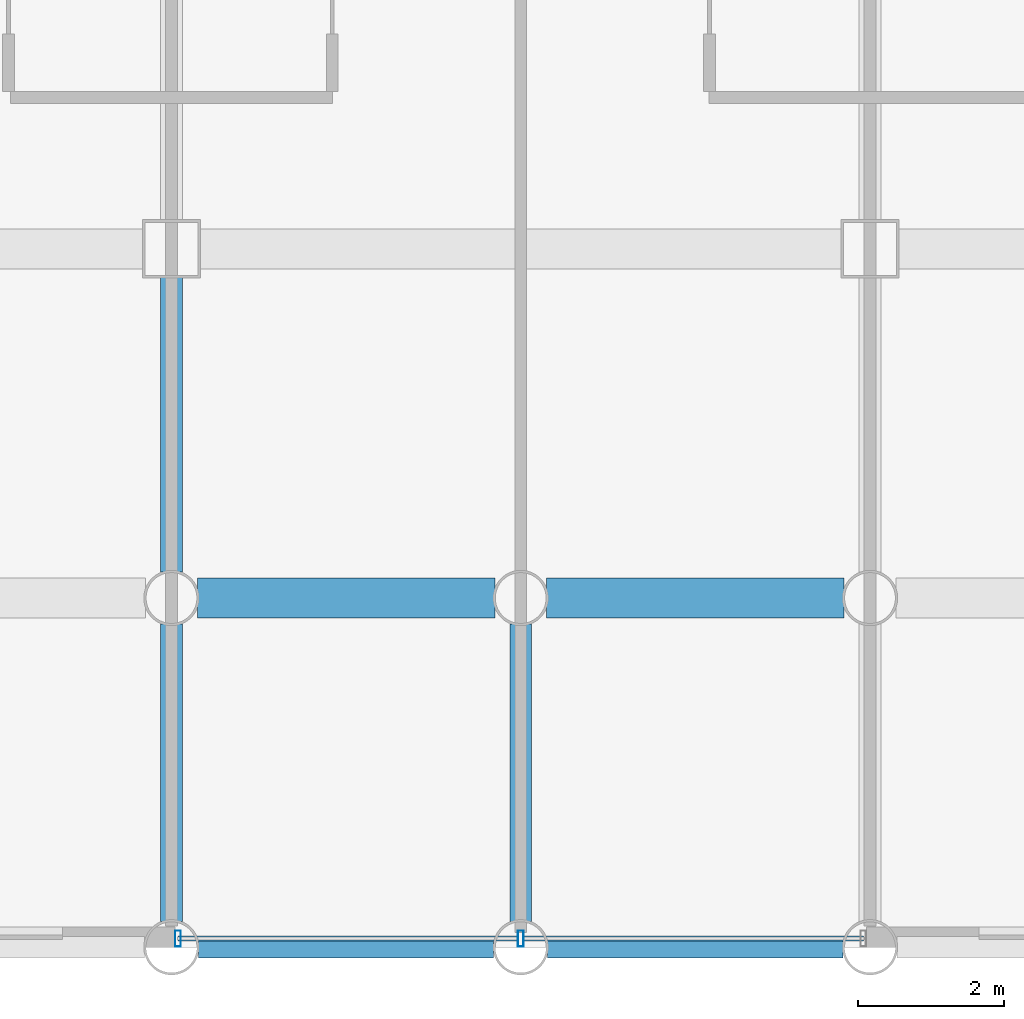
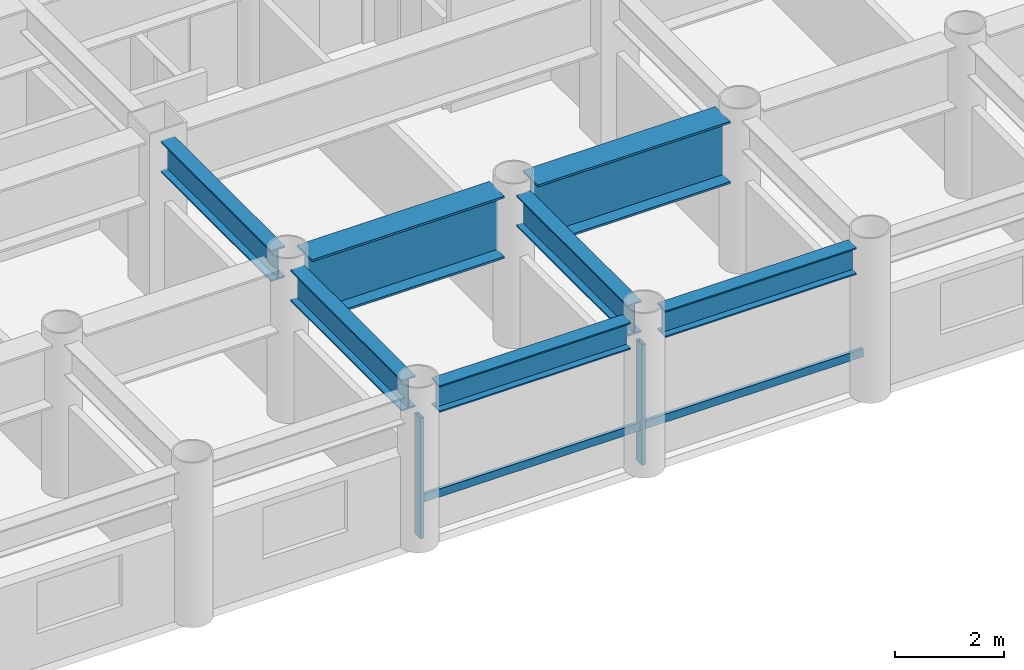
# One storey, part 2 of 21: 7 beams, 4 members, 1 element without a shape of its own.
"""IFC4 building model written with IfcOpenShell, lengths in metres."""

from ifc_helpers import new_model, si_unit, direction, frame, origin, origin_2d, place, context, subcontext, project, spatial, hollow_rectangle, i_section, extrude, material, layer, layer_set, material_profile, profile_set, type_object, element, aggregate, save


model = new_model("IFC4")

# Units and contexts
model_context = context("Model", 3, precision=1e-05, world=origin(), true_north=direction((0.0, 1.0)))
body_context = subcontext(model_context, "Body", "Model", "MODEL_VIEW")
ifc_project = project(units=[si_unit("LENGTHUNIT", "METRE"), si_unit("AREAUNIT", "SQUARE_METRE"), si_unit("VOLUMEUNIT", "CUBIC_METRE"), si_unit("PLANEANGLEUNIT", "RADIAN"), si_unit("MASSUNIT", "GRAM", prefix="KILO")], contexts=[model_context])

# Site, building, storey
site_placement = place(None, origin())
site = spatial("IfcSite", under=ifc_project, at=site_placement, CompositionType="ELEMENT")
building_placement = place(site_placement, origin())
building = spatial("IfcBuilding", under=site, at=building_placement, Name="Kallvorn Hotel Tower", CompositionType="ELEMENT")
storey_placement = place(building_placement, frame((0.0, 0.0, 85.5)))
storey = spatial("IfcBuildingStorey", under=building, at=storey_placement, Name="L20", CompositionType="ELEMENT", Elevation=85.5)

# Beams
ifc_material_1 = material(Name="Structural steel S355JR", Category="steel")
ifc_material_profile_1 = material_profile(ifc_material_1, i_section(OverallWidth=0.300048828125, OverallDepth=0.60009765625, WebThickness=0.015380859375, FlangeThickness=0.030029296875, at=origin_2d()), Name="HE 600 B")
ifc_profile_set_1 = profile_set([ifc_material_profile_1], Name="Structural steel S355JR")
beam_type_1 = type_object("IfcBeamType", Name="BM_HE600B", PredefinedType="SPANDREL", material=ifc_profile_set_1)
for number, where, z_axis, x_axis, name in (
    (1, (-4.428955078125, -24.0, 3.14990234375), (1.0, 0.0, 0.0), (0.0, 1.0, 0.0), "L21 Perimeter Spandrel 155"),
    (2, (0.37109375, -24.0, 3.14990234375), (1.0, 0.0, 0.0), (0.0, 1.0, 0.0), "L21 Perimeter Spandrel 156"),
):
    element("IfcBeam", number, at=place(storey_placement, frame(where, z_axis=z_axis, x_axis=x_axis)), inside=storey, type_object=beam_type_1, Name=name, PredefinedType="SPANDREL", context=body_context, shape_type="SweptSolid", body=[
        extrude(i_section(OverallWidth=0.300048828125, OverallDepth=0.60009765625, WebThickness=0.015380859375, FlangeThickness=0.030029296875, at=origin_2d()), origin(), (0.0, 0.0, 1.0), 4.057861328125),
    ])
ifc_material_2 = material(Name="Structural steel S355JR", Category="steel")
ifc_material_profile_2 = material_profile(ifc_material_2, i_section(OverallWidth=0.300048828125, OverallDepth=0.699951171875, WebThickness=0.01708984375, FlangeThickness=0.031982421875, at=origin_2d()), Name="HE 700 B")
ifc_profile_set_2 = profile_set([ifc_material_profile_2], Name="Structural steel S355JR")
beam_type_2 = type_object("IfcBeamType", Name="BM_HE700B", PredefinedType="BEAM", material=ifc_profile_set_2)
beam_1_placement = place(storey_placement, frame((-4.800048828125, -23.64404296875, 3.10009765625), z_axis=(0.0, 1.0, 0.0), x_axis=(-1.0, 0.0, 0.0)))
element("IfcBeam", 3, at=beam_1_placement, inside=storey, type_object=beam_type_2, Name="L21 Primary Y-Girder 105", PredefinedType="BEAM", context=body_context, shape_type="SweptSolid", body=[
    extrude(i_section(OverallWidth=0.300048828125, OverallDepth=0.699951171875, WebThickness=0.01708984375, FlangeThickness=0.031982421875, at=origin_2d()), origin(), (0.0, 0.0, 1.0), 4.088134765625),
])
beam_2_placement = place(storey_placement, frame((-4.800048828125, -18.843994140625, 3.10009765625), z_axis=(0.0, 1.0, 0.0), x_axis=(-1.0, 0.0, 0.0)))
element("IfcBeam", 4, at=beam_2_placement, inside=storey, type_object=beam_type_2, Name="L21 Primary Y-Girder 106", PredefinedType="BEAM", context=body_context, shape_type="SweptSolid", body=[
    extrude(i_section(OverallWidth=0.300048828125, OverallDepth=0.699951171875, WebThickness=0.01708984375, FlangeThickness=0.031982421875, at=origin_2d()), origin(), (0.0, 0.0, 1.0), 4.069091796875),
])
beam_3_placement = place(storey_placement, frame((0.0, -23.64404296875, 3.10009765625), z_axis=(0.0, 1.0, 0.0), x_axis=(-1.0, 0.0, 0.0)))
element("IfcBeam", 5, at=beam_3_placement, inside=storey, type_object=beam_type_2, Name="L21 Primary Y-Girder 110", PredefinedType="BEAM", context=body_context, shape_type="SweptSolid", body=[
    extrude(i_section(OverallWidth=0.300048828125, OverallDepth=0.699951171875, WebThickness=0.01708984375, FlangeThickness=0.031982421875, at=origin_2d()), origin(), (0.0, 0.0, 1.0), 4.088134765625),
])
ifc_material_3 = material(Name="Structural steel S355JR", Category="steel")
ifc_material_profile_3 = material_profile(ifc_material_3, i_section(OverallWidth=0.550048828125, OverallDepth=1.39990234375, WebThickness=0.02490234375, FlangeThickness=0.044921875, at=origin_2d()), Name="PG 1400x550x25x45")
ifc_profile_set_3 = profile_set([ifc_material_profile_3], Name="Structural steel S355JR")
beam_type_3 = type_object("IfcBeamType", Name="BM_PG_1400", PredefinedType="BEAM", material=ifc_profile_set_3)
for number, where, z_axis, x_axis, name in (
    (6, (-4.444091796875, -19.199951171875, 2.75), (1.0, 0.0, 0.0), (0.0, 1.0, 0.0), "L21 Primary X-Girder 06"),
    (7, (0.35595703125, -19.199951171875, 2.75), (1.0, 0.0, 0.0), (0.0, 1.0, 0.0), "L21 Primary X-Girder 07"),
):
    element("IfcBeam", number, at=place(storey_placement, frame(where, z_axis=z_axis, x_axis=x_axis)), inside=storey, type_object=beam_type_3, Name=name, PredefinedType="BEAM", context=body_context, shape_type="SweptSolid", body=[
        extrude(i_section(OverallWidth=0.550048828125, OverallDepth=1.39990234375, WebThickness=0.02490234375, FlangeThickness=0.044921875, at=origin_2d()), origin(), (0.0, 0.0, 1.0), 4.088134765625),
    ])

# Curtain wall, members
ifc_material_4 = material(Name="Thermally broken black-anodised aluminium AA 6063-T6", Category="aluminium")
ifc_layer = layer(ifc_material_4, 0.199951171875)
ifc_layer_set = layer_set([ifc_layer], Name="CW_SYS_3_HOTEL_LOW")
curtain_wall_type = type_object("IfcCurtainWallType", Name="CW_SYS_3_HOTEL_LOW", PredefinedType="USERDEFINED", material=ifc_layer_set)
curtain_wall_placement = place(storey_placement, origin())
curtain_wall = element("IfcCurtainWall", 8, at=curtain_wall_placement, inside=storey, type_object=curtain_wall_type, Name="L20 Dark-Glass Curtain Wall CW-L20-SC", ObjectType="UNITISED CURTAIN WALL", PredefinedType="USERDEFINED")
ifc_material_5 = material(Name="Thermally broken black-anodised aluminium AA 6063-T6", Category="aluminium")
ifc_material_profile_4 = material_profile(ifc_material_5, hollow_rectangle(XDim=0.080078125, YDim=0.219970703125, WallThickness=0.0048828125, at=origin_2d()), Name="MUL 220x80")
ifc_profile_set_4 = profile_set([ifc_material_profile_4], Name="Thermally broken black-anodised aluminium AA 6063-T6")
member_type_1 = type_object("IfcMemberType", Name="CW_MULLION_220x80", PredefinedType="MULLION", material=ifc_profile_set_4)
member_1_placement = place(storey_placement, frame((-4.7099609375, -23.8798828125, 0.02001953125), z_axis=(0.0, 0.0, 1.0), x_axis=(1.0, 0.0, 0.0)))
member_1 = element("IfcMember", 9, at=member_1_placement, type_object=member_type_1, Name="CW-L20-SC Mullion 00", PredefinedType="MULLION", context=body_context, shape_type="SweptSolid", body=[
    extrude(hollow_rectangle(XDim=0.080078125, YDim=0.219970703125, WallThickness=0.0048828125, at=origin_2d()), origin(), (0.0, 0.0, 1.0), 2.7099609375),
])
member_2_placement = place(storey_placement, frame((0.0, -23.8798828125, 0.02001953125), z_axis=(0.0, 0.0, 1.0), x_axis=(1.0, 0.0, 0.0)))
member_2 = element("IfcMember", 10, at=member_2_placement, type_object=member_type_1, Name="CW-L20-SC Mullion 01", PredefinedType="MULLION", context=body_context, shape_type="SweptSolid", body=[
    extrude(hollow_rectangle(XDim=0.080078125, YDim=0.219970703125, WallThickness=0.0048828125, at=origin_2d()), origin(), (0.0, 0.0, 1.0), 2.7099609375),
])
ifc_material_6 = material(Name="Thermally broken black-anodised aluminium AA 6063-T6", Category="aluminium")
ifc_material_profile_5 = material_profile(ifc_material_6, hollow_rectangle(XDim=0.070068359375, YDim=0.179931640625, WallThickness=0.00390625, at=origin_2d()), Name="TRN 180x70")
ifc_profile_set_5 = profile_set([ifc_material_profile_5], Name="Thermally broken black-anodised aluminium AA 6063-T6")
member_type_2 = type_object("IfcMemberType", Name="CW_TRANSOM_180x70", PredefinedType="USERDEFINED", material=ifc_profile_set_5)
member_3_placement = place(storey_placement, frame((-4.7099609375, -23.8798828125, 0.85009765625), z_axis=(1.0, 0.0, 0.0), x_axis=(0.0, 1.0, 0.0)))
member_3 = element("IfcMember", 11, at=member_3_placement, type_object=member_type_2, Name="CW-L20-SC Transom 00M", ObjectType="TRANSOM", PredefinedType="USERDEFINED", context=body_context, shape_type="SweptSolid", body=[
    extrude(hollow_rectangle(XDim=0.070068359375, YDim=0.179931640625, WallThickness=0.00390625, at=origin_2d()), origin(), (0.0, 0.0, 1.0), 4.669921875),
])
member_4_placement = place(storey_placement, frame((0.0400390625, -23.8798828125, 0.85009765625), z_axis=(1.0, 0.0, 0.0), x_axis=(0.0, 1.0, 0.0)))
member_4 = element("IfcMember", 12, at=member_4_placement, type_object=member_type_2, Name="CW-L20-SC Transom 01M", ObjectType="TRANSOM", PredefinedType="USERDEFINED", context=body_context, shape_type="SweptSolid", body=[
    extrude(hollow_rectangle(XDim=0.070068359375, YDim=0.179931640625, WallThickness=0.00390625, at=origin_2d()), origin(), (0.0, 0.0, 1.0), 4.669921875),
])
aggregate(curtain_wall, [member_1, member_2, member_3, member_4])

save(model, "model.ifc")
